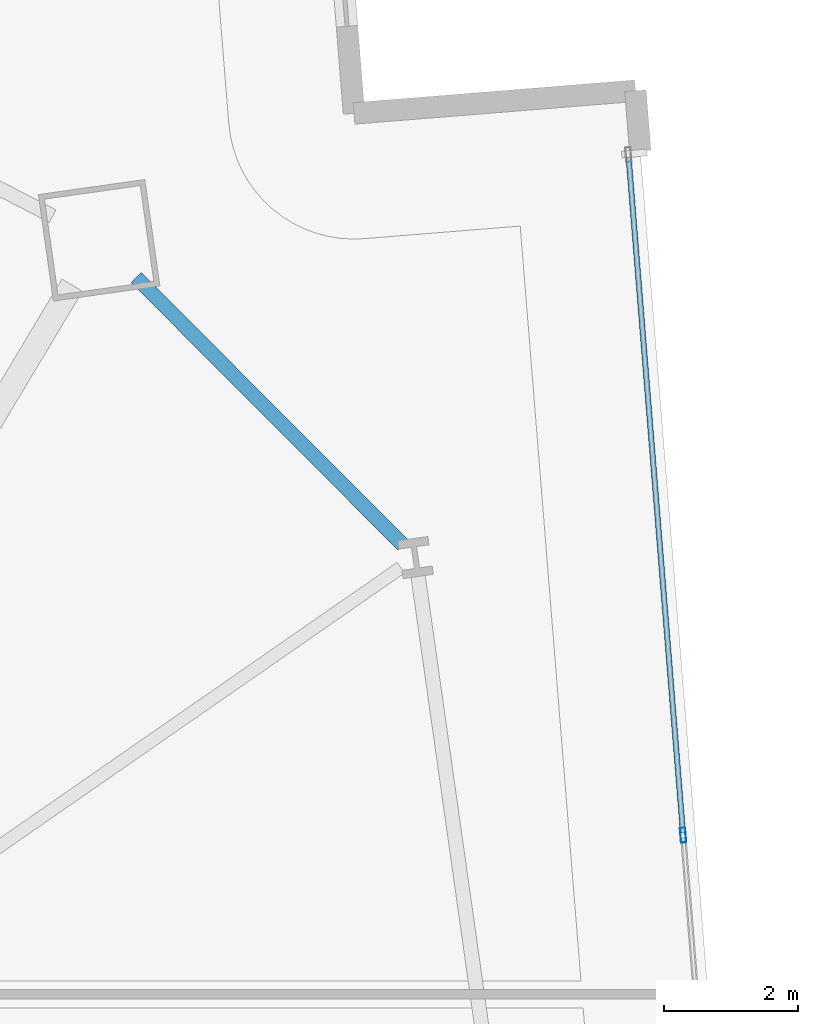
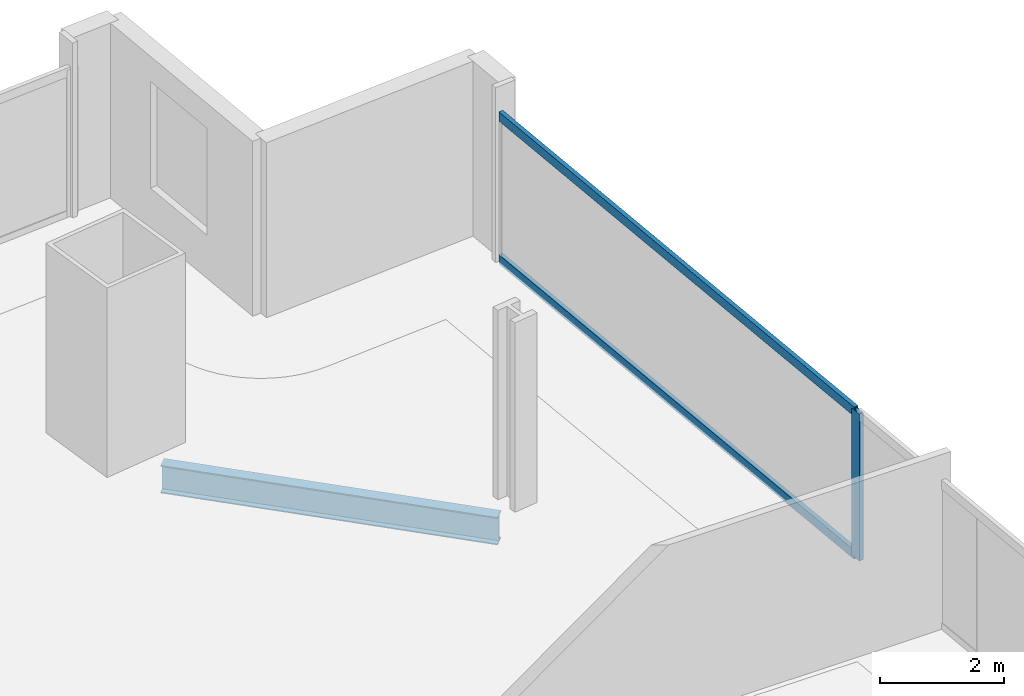
# One storey, part 21 of 33: 3 members, 1 beam, 1 element without a shape of its own.
"""IFC4 building model written with IfcOpenShell, lengths in metres."""

from ifc_helpers import new_model, si_unit, direction, frame, origin, origin_2d, place, context, subcontext, project, spatial, hollow_rectangle, i_section, extrude, material, material_profile, profile_set, type_object, element, aggregate, save


model = new_model("IFC4")

# Units and contexts
model_context = context("Model", 3, precision=1e-05, world=origin(), true_north=direction((0.0, 1.0)))
body_context = subcontext(model_context, "Body", "Model", "MODEL_VIEW")
ifc_project = project(units=[si_unit("LENGTHUNIT", "METRE"), si_unit("AREAUNIT", "SQUARE_METRE"), si_unit("VOLUMEUNIT", "CUBIC_METRE"), si_unit("PLANEANGLEUNIT", "RADIAN"), si_unit("MASSUNIT", "GRAM", prefix="KILO")], contexts=[model_context])

# Site, building, storey
site_placement = place(None, origin())
site = spatial("IfcSite", under=ifc_project, at=site_placement, CompositionType="ELEMENT")
building_placement = place(site_placement, origin())
building = spatial("IfcBuilding", under=site, at=building_placement, Name="Haldenkirk Collegiate Tower", CompositionType="ELEMENT")
storey_placement = place(building_placement, frame((0.0, 0.0, 43.949951171875)))
storey = spatial("IfcBuildingStorey", under=building, at=storey_placement, Name="L09", CompositionType="ELEMENT", Elevation=43.949951171875)

# Beam
ifc_material_1 = material(Name="Steel ASTM A992 Grade 50", Category="steel")
ifc_material_profile_1 = material_profile(ifc_material_1, i_section(OverallWidth=0.2119140625, OverallDepth=0.5439453125, WebThickness=0.01318359375, FlangeThickness=0.021240234375, at=origin_2d()), Name="W21X83")
ifc_profile_set_1 = profile_set([ifc_material_profile_1], Name="Steel ASTM A992 Grade 50")
beam_type = type_object("IfcBeamType", Name="BM-SPANDREL-W21X83", PredefinedType="SPANDREL", material=ifc_profile_set_1)
beam_placement = place(storey_placement, frame((57.70556640625, 43.135986328125, -0.58203125), z_axis=(-0.706085689957, 0.708126400043, 0.0), x_axis=(-0.708126400043, -0.706085689957, 0.0)))
element("IfcBeam", 1, at=beam_placement, inside=storey, type_object=beam_type, Name="L09 perimeter spandrel beam 08", PredefinedType="SPANDREL", context=body_context, shape_type="SweptSolid", body=[
    extrude(i_section(OverallWidth=0.2119140625, OverallDepth=0.5439453125, WebThickness=0.01318359375, FlangeThickness=0.021240234375, at=origin_2d()), origin(), (0.0, 0.0, 1.0), 5.622802734375),
])

# Curtain wall, members
ifc_material_2 = material(Name="Anodised architectural bronze aluminium", Category="aluminium")
curtain_wall_type = type_object("IfcCurtainWallType", Name="CW-SYS1-CONVEX-LOW", PredefinedType="USERDEFINED", material=ifc_material_2)
curtain_wall_placement = place(storey_placement, origin())
curtain_wall = element("IfcCurtainWall", 2, at=curtain_wall_placement, inside=storey, type_object=curtain_wall_type, Name="L09 Lower tower convex bronze-framed unitised curtain wall", ObjectType="UNITISED CURTAIN WALL", PredefinedType="USERDEFINED")
ifc_material_profile_2 = material_profile(ifc_material_2, hollow_rectangle(XDim=0.080078125, YDim=0.219970703125, WallThickness=0.0048828125, at=origin_2d()), Name="CW-MUL-1A")
ifc_profile_set_2 = profile_set([ifc_material_profile_2], Name="Anodised architectural bronze aluminium")
member_type_1 = type_object("IfcMemberType", Name="CW-MUL-1A", PredefinedType="MULLION", material=ifc_profile_set_2)
member_1_placement = place(storey_placement, frame((61.87548828125, 38.816650390625, 0.0), z_axis=(0.0, 0.0, 1.0), x_axis=(0.996778913457, 0.080198489315, 0.0)))
member_1 = element("IfcMember", 3, at=member_1_placement, type_object=member_type_1, Name="CW-1A mullion 2", PredefinedType="MULLION", context=body_context, shape_type="SweptSolid", body=[
    extrude(hollow_rectangle(XDim=0.080078125, YDim=0.219970703125, WallThickness=0.0048828125, at=origin_2d()), origin(), (0.0, 0.0, 1.0), 2.89111328125),
])
ifc_material_profile_3 = material_profile(ifc_material_2, hollow_rectangle(XDim=0.080078125, YDim=0.179931640625, WallThickness=0.0048828125, at=origin_2d()), Name="CW-TRN-1A")
ifc_profile_set_3 = profile_set([ifc_material_profile_3], Name="Anodised architectural bronze aluminium")
member_type_2 = type_object("IfcMemberType", Name="CW-TRN-1A", PredefinedType="USERDEFINED", material=ifc_profile_set_3)
member_2_placement = place(storey_placement, frame((61.06396484375, 48.904052734375, 0.0400390625), z_axis=(0.080192843794, -0.996779367666, 0.0), x_axis=(0.996779367666, 0.080192843794, 0.0)))
member_2 = element("IfcMember", 4, at=member_2_placement, type_object=member_type_2, Name="CW-1A transom 1.1", ObjectType="TRANSOM", PredefinedType="USERDEFINED", context=body_context, shape_type="SweptSolid", body=[
    extrude(hollow_rectangle(XDim=0.080078125, YDim=0.179931640625, WallThickness=0.0048828125, at=origin_2d()), origin(), (0.0, 0.0, 1.0), 10.080078125),
])
member_3_placement = place(storey_placement, frame((61.06396484375, 48.904052734375, 2.85107421875), z_axis=(0.080192843794, -0.996779367666, 0.0), x_axis=(0.996779367666, 0.080192843794, 0.0)))
member_3 = element("IfcMember", 5, at=member_3_placement, type_object=member_type_2, Name="CW-1A transom 1.2", ObjectType="TRANSOM", PredefinedType="USERDEFINED", context=body_context, shape_type="SweptSolid", body=[
    extrude(hollow_rectangle(XDim=0.080078125, YDim=0.179931640625, WallThickness=0.0048828125, at=origin_2d()), origin(), (0.0, 0.0, 1.0), 10.080078125),
])
aggregate(curtain_wall, [member_1, member_2, member_3])

save(model, "model.ifc")
